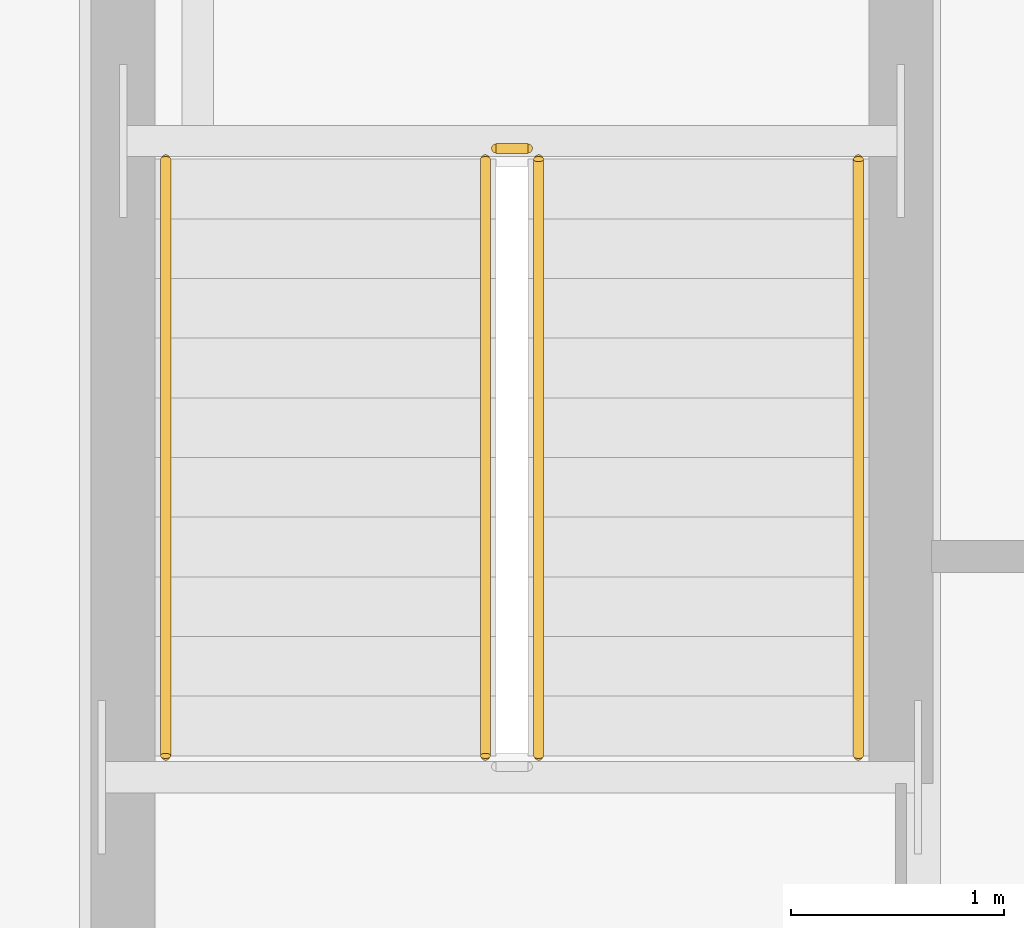
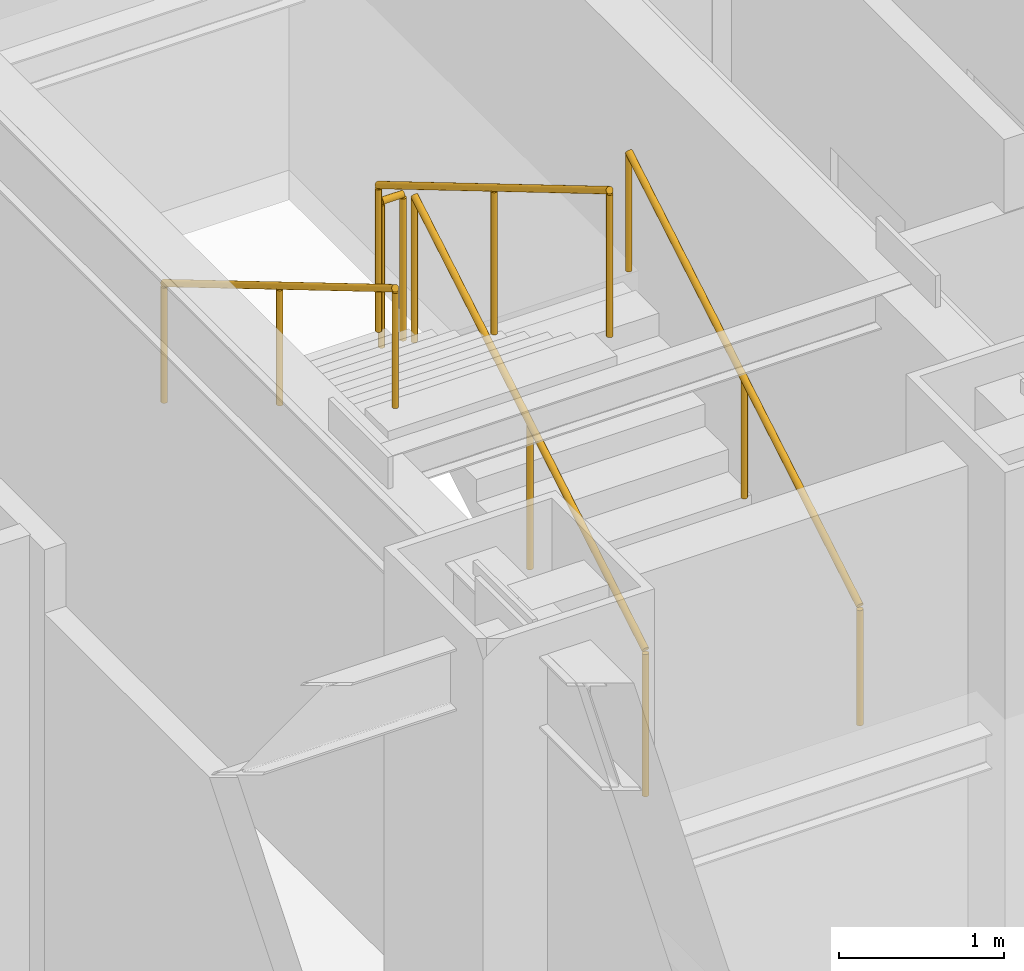
# One storey, part 15 of 16: 5 railings.
"""IFC4 building model written with IfcOpenShell, lengths in metres."""

from ifc_helpers import new_model, si_unit, direction, frame, origin, origin_2d, place, context, subcontext, project, spatial, circle, extrude, material, type_object, element, save


model = new_model("IFC4")

# Units and contexts
model_context = context("Model", 3, precision=1e-05, world=origin(), true_north=direction((0.0, 1.0)))
body_context = subcontext(model_context, "Body", "Model", "MODEL_VIEW")
ifc_project = project(units=[si_unit("LENGTHUNIT", "METRE"), si_unit("AREAUNIT", "SQUARE_METRE"), si_unit("VOLUMEUNIT", "CUBIC_METRE"), si_unit("PLANEANGLEUNIT", "RADIAN"), si_unit("MASSUNIT", "GRAM", prefix="KILO")], contexts=[model_context])

# Site, building, storey
site_placement = place(None, origin())
site = spatial("IfcSite", under=ifc_project, at=site_placement, CompositionType="ELEMENT")
building_placement = place(site_placement, origin())
building = spatial("IfcBuilding", under=site, at=building_placement, Name="Khamvora Tower", CompositionType="ELEMENT")
storey_placement = place(building_placement, frame((0.0, 0.0, 134.75)))
storey = spatial("IfcBuildingStorey", under=building, at=storey_placement, Name="L34", CompositionType="ELEMENT", Elevation=134.75)

# Railings
ifc_material_1 = material(Name="Brushed Stainless Steel 316", Category="steel")
railing_type_1 = type_object("IfcRailingType", Name="RAL-HDR-920", PredefinedType="HANDRAIL", material=ifc_material_1)
railing_1_placement = place(storey_placement, frame((32.449951171875, 29.85009765625, 0.166015625)))
element("IfcRailing", 1, at=railing_1_placement, inside=storey, type_object=railing_type_1, Name="L34 ST-02 stair handrail 1", PredefinedType="HANDRAIL", context=body_context, shape_type="SweptSolid", body=[
    extrude(circle(Radius=0.02392578125, at=origin_2d()), frame((0.0, 0.0, 0.8759765625), z_axis=(0.0, 0.860319559791, 0.509755093197), x_axis=(-1.0, 0.0, 0.0)), (0.0, 0.0, 1.0), 3.25439453125),
    extrude(circle(Radius=0.02099609375, at=origin_2d()), origin(), (0.0, 0.0, 1.0), 0.851806640625),
    extrude(circle(Radius=0.02099609375, at=origin_2d()), frame((0.0, 1.39990234375, 0.82958984375)), (0.0, 0.0, 1.0), 0.851806640625),
    extrude(circle(Radius=0.02099609375, at=origin_2d()), frame((0.0, 2.7998046875, 1.658935546875)), (0.0, 0.0, 1.0), 0.851806640625),
])
railing_2_placement = place(storey_placement, frame((29.199951171875, 32.64990234375, 1.990966796875)))
element("IfcRailing", 2, at=railing_2_placement, inside=storey, type_object=railing_type_1, Name="L34 ST-02 stair handrail 2", PredefinedType="HANDRAIL", context=body_context, shape_type="SweptSolid", body=[
    extrude(circle(Radius=0.02392578125, at=origin_2d()), frame((0.0, 0.0, 0.8759765625), z_axis=(0.0, -0.860319559791, 0.509755093197), x_axis=(1.0, 0.0, 0.0)), (0.0, 0.0, 1.0), 3.25439453125),
    extrude(circle(Radius=0.02099609375, at=origin_2d()), origin(), (0.0, 0.0, 1.0), 0.851806640625),
    extrude(circle(Radius=0.02099609375, at=origin_2d()), frame((0.0, -1.39990234375, 0.82958984375)), (0.0, 0.0, 1.0), 0.851806640625),
    extrude(circle(Radius=0.02099609375, at=origin_2d()), frame((0.0, -2.7998046875, 1.658935546875)), (0.0, 0.0, 1.0), 0.851806640625),
])
ifc_material_2 = material(Name="Stainless Steel 316", Category="steel")
railing_type_2 = type_object("IfcRailingType", Name="RAL-STG-1100", PredefinedType="GUARDRAIL", material=ifc_material_2)
railing_3_placement = place(storey_placement, frame((30.949951171875, 29.85009765625, 0.166015625)))
element("IfcRailing", 3, at=railing_3_placement, inside=storey, type_object=railing_type_2, Name="L34 ST-02 stair guard 1", PredefinedType="GUARDRAIL", context=body_context, shape_type="SweptSolid", body=[
    extrude(circle(Radius=0.02392578125, at=origin_2d()), frame((0.0, 0.0, 1.076171875), z_axis=(0.0, 0.860319559791, 0.509755093197), x_axis=(-1.0, 0.0, 0.0)), (0.0, 0.0, 1.0), 3.25439453125),
    extrude(circle(Radius=0.02099609375, at=origin_2d()), origin(), (0.0, 0.0, 1.0), 1.052001953125),
    extrude(circle(Radius=0.02099609375, at=origin_2d()), frame((0.0, 1.39990234375, 0.82958984375)), (0.0, 0.0, 1.0), 1.052001953125),
    extrude(circle(Radius=0.02099609375, at=origin_2d()), frame((0.0, 2.7998046875, 1.658935546875)), (0.0, 0.0, 1.0), 1.052001953125),
])
railing_4_placement = place(storey_placement, frame((30.89990234375, 32.699951171875, 1.824951171875)))
element("IfcRailing", 4, at=railing_4_placement, inside=storey, type_object=railing_type_2, Name="L34 ST-02 stair guard 2", PredefinedType="GUARDRAIL", context=body_context, shape_type="SweptSolid", body=[
    extrude(circle(Radius=0.02392578125, at=origin_2d()), frame((0.0, 0.0, 1.076171875), z_axis=(-1.0, 0.0, 0.0), x_axis=(0.0, -1.0, 0.0)), (0.0, 0.0, 1.0), 0.14990234375),
    extrude(circle(Radius=0.02099609375, at=origin_2d()), origin(), (0.0, 0.0, 1.0), 1.052001953125),
    extrude(circle(Radius=0.02099609375, at=origin_2d()), frame((-0.14990234375, 0.0, 0.0)), (0.0, 0.0, 1.0), 1.052001953125),
])
railing_5_placement = place(storey_placement, frame((30.699951171875, 32.64990234375, 1.990966796875)))
element("IfcRailing", 5, at=railing_5_placement, inside=storey, type_object=railing_type_2, Name="L34 ST-02 stair guard 3", PredefinedType="GUARDRAIL", context=body_context, shape_type="SweptSolid", body=[
    extrude(circle(Radius=0.02392578125, at=origin_2d()), frame((0.0, 0.0, 1.076171875), z_axis=(0.0, -0.860319559791, 0.509755093197), x_axis=(1.0, 0.0, 0.0)), (0.0, 0.0, 1.0), 3.25439453125),
    extrude(circle(Radius=0.02099609375, at=origin_2d()), origin(), (0.0, 0.0, 1.0), 1.052001953125),
    extrude(circle(Radius=0.02099609375, at=origin_2d()), frame((0.0, -1.39990234375, 0.82958984375)), (0.0, 0.0, 1.0), 1.052001953125),
    extrude(circle(Radius=0.02099609375, at=origin_2d()), frame((0.0, -2.7998046875, 1.658935546875)), (0.0, 0.0, 1.0), 1.052001953125),
])

save(model, "model.ifc")
